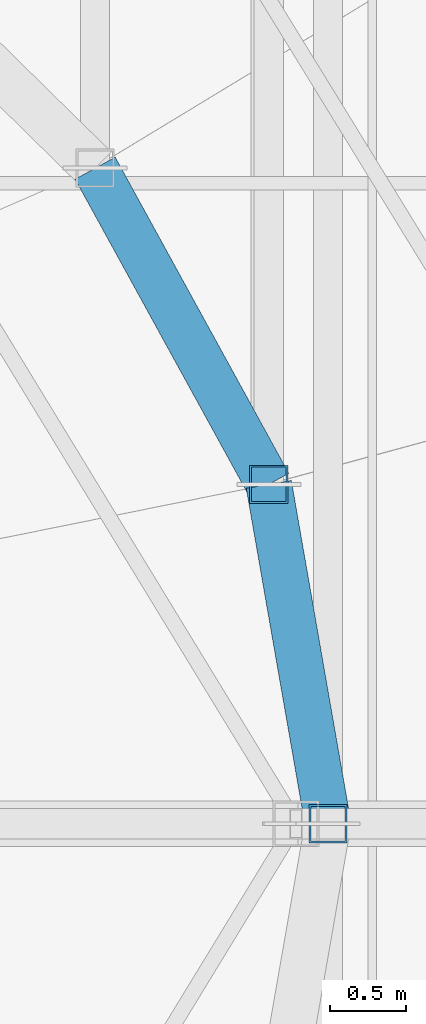
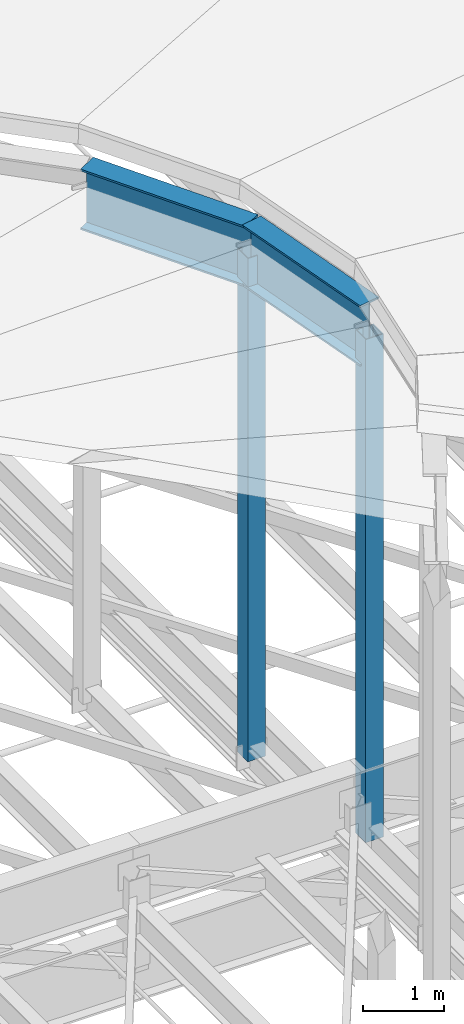
# One storey, part 83 of 184: 2 beams, 2 members.
"""IFC4 building model written with IfcOpenShell, lengths in metres."""

import ifcopenshell
import ifcopenshell.guid

model = None  # the IFC model being written
_history = None  # IfcOwnerHistory: only IFC2X3 demands one
_inside = {}  # id of a spatial element -> (the spatial element, [elements in it])
_under = {}  # id of a project, library or spatial element -> (it, [spatial elements below it])
_declared = {}  # id of a project -> (the project, [libraries it declares])
_typed = {}  # id of a type object -> (the type object, [elements of that type])
_made_of = {}  # id of a material, layer set ... -> (it, [elements and type objects made of it])


def new_model(schema):
    """Start an empty IFC model of exactly this schema.

    Asked for "IFC4X3", IfcOpenShell would pick the latest addendum, in which some entities
    have other attributes; the version numbers below select the first issue.
    IFC2X3 requires an IfcOwnerHistory on every rooted entity: one is made here for all.
    """
    global model, _history
    if schema == "IFC4X3":
        model = ifcopenshell.file(schema_version=(4, 3, 0, 0))
    else:
        model = ifcopenshell.file(schema=schema)
    _inside.clear()
    _under.clear()
    _declared.clear()
    _typed.clear()
    _made_of.clear()
    _history = None
    if model.schema == "IFC2X3":
        org = make("IfcOrganization", Name="unknown")
        user = make(
            "IfcPersonAndOrganization",
            ThePerson=make("IfcPerson", FamilyName="unknown"),
            TheOrganization=org,
        )
        app = make(
            "IfcApplication",
            ApplicationDeveloper=org,
            Version="unknown",
            ApplicationFullName="unknown",
            ApplicationIdentifier="unknown",
        )
        _history = make(
            "IfcOwnerHistory",
            OwningUser=user,
            OwningApplication=app,
            ChangeAction="ADDED",
            CreationDate=0,
        )
    return model


def make(cls, **values):
    """One entity of the class cls with the attributes given. An attribute that is None is left unset."""
    return model.create_entity(
        cls, **{name: value for name, value in values.items() if value is not None}
    )


def rooted(cls, **values):
    """An entity with a GlobalId (a new one), such as an element, a storey or a relation."""
    return make(cls, GlobalId=ifcopenshell.guid.new(), OwnerHistory=_history, **values)


def si_unit(unit_type, name, prefix=None):
    """IfcSIUnit, for example si_unit("LENGTHUNIT", "METRE", prefix="MILLI")."""
    return make("IfcSIUnit", UnitType=unit_type, Prefix=prefix, Name=name)


def assignment(units):
    """IfcUnitAssignment: the units of a project."""
    return None if units is None else make("IfcUnitAssignment", Units=units)


def point(xyz):
    """IfcCartesianPoint."""
    return None if xyz is None else make("IfcCartesianPoint", Coordinates=xyz)


def direction(xyz):
    """IfcDirection."""
    return None if xyz is None else make("IfcDirection", DirectionRatios=xyz)


def frame(location, z_axis=None, x_axis=None):
    """IfcAxis2Placement3D, a coordinate frame: its origin and axes. An axis left out is left unset."""
    return make(
        "IfcAxis2Placement3D",
        Location=point(location),
        Axis=direction(z_axis),
        RefDirection=direction(x_axis),
    )


def frame_2d(location, x_axis=None):
    """IfcAxis2Placement2D, a coordinate frame in the plane: its origin and x axis."""
    return make(
        "IfcAxis2Placement2D", Location=point(location), RefDirection=direction(x_axis)
    )


def origin():
    """The frame at (0, 0, 0) with its axes left unset."""
    return frame((0.0, 0.0, 0.0))


def origin_2d():
    """The frame at (0, 0) in the plane with its x axis left unset."""
    return frame_2d((0.0, 0.0))


def place(relative_to, where):
    """IfcLocalPlacement: puts the frame where relative to a parent placement (None: the world)."""
    return make(
        "IfcLocalPlacement", PlacementRelTo=relative_to, RelativePlacement=where
    )


def context(
    kind, dimensions, precision=None, world=None, true_north=None, identifier=None
):
    """IfcGeometricRepresentationContext, for example the 3D "Model" context."""
    return make(
        "IfcGeometricRepresentationContext",
        ContextIdentifier=identifier,
        ContextType=kind,
        CoordinateSpaceDimension=dimensions,
        Precision=precision,
        WorldCoordinateSystem=world,
        TrueNorth=true_north,
    )


def subcontext(parent, identifier, kind, view, scale=None):
    """IfcGeometricRepresentationSubContext, for example "Body" below "Model"."""
    return make(
        "IfcGeometricRepresentationSubContext",
        ContextIdentifier=identifier,
        ContextType=kind,
        ParentContext=parent,
        TargetScale=scale,
        TargetView=view,
    )


def project(units=None, contexts=None):
    """IfcProject with its units and contexts."""
    return rooted(
        "IfcProject",
        Name="project",
        RepresentationContexts=contexts,
        UnitsInContext=assignment(units),
    )


def spatial(cls, under=None, at=None, **own):
    """A site, building, storey or space (cls), placed at a placement, below another one or the project."""
    s = rooted(cls, ObjectPlacement=at, **own)
    if under is not None:
        _under.setdefault(under.id(), (under, []))[1].append(s)
    return s


def profile(cls, at=None, kind="AREA", **sizes):
    """A parametric profile (cls). Its sizes go by their IFC names, for example OverallWidth=200.0."""
    return make(cls, ProfileType=kind, Position=at, **sizes)


def hollow_rectangle(**sizes):
    """IfcRectangleHollowProfileDef."""
    return profile("IfcRectangleHollowProfileDef", **sizes)


def i_section(**sizes):
    """IfcIShapeProfileDef."""
    return profile("IfcIShapeProfileDef", **sizes)


def extrude(swept, where, along, depth):
    """IfcExtrudedAreaSolid: the profile swept, set in the frame where, extruded along a direction by depth."""
    return make(
        "IfcExtrudedAreaSolid",
        SweptArea=swept,
        Position=where,
        ExtrudedDirection=direction(along),
        Depth=depth,
    )


def shape(context_of_items, identifier, shape_type, items):
    """IfcShapeRepresentation: the items that make up one representation, for example the "Body"."""
    return make(
        "IfcShapeRepresentation",
        ContextOfItems=context_of_items,
        RepresentationIdentifier=identifier,
        RepresentationType=shape_type,
        Items=items,
    )


def material(Name=None, Category=None):
    """IfcMaterial."""
    return make("IfcMaterial", Name=Name, Category=Category)


def material_profile(
    of_material, cross_section, Name=None, Category=None, Priority=None
):
    """IfcMaterialProfile: a cross section and its material."""
    return make(
        "IfcMaterialProfile",
        Name=Name,
        Material=of_material,
        Profile=cross_section,
        Priority=Priority,
        Category=Category,
    )


def profile_set(profiles, Name=None, composite=None):
    """IfcMaterialProfileSet."""
    return make(
        "IfcMaterialProfileSet",
        Name=Name,
        MaterialProfiles=profiles,
        CompositeProfile=composite,
    )


def made_of(thing, what):
    """Note that an element or type object is made of a material, layer set ...; save() writes the relation."""
    if what is not None:
        _made_of.setdefault(what.id(), (what, []))[1].append(thing)
    return thing


def type_object(cls, material=None, **own):
    """A type object (cls), such as IfcWallType, which elements share."""
    return made_of(rooted(cls, **own), material)


def element(
    cls,
    number,
    at=None,
    inside=None,
    cuts=None,
    type_object=None,
    material=None,
    context=None,
    identifier="Body",
    shape_type=None,
    held_by="IfcProductDefinitionShape",
    body=None,
    shapes=None,
    **own,
):
    """One element of the class cls, such as IfcWall. Its Tag is "e" and its number.

    at: its placement. inside: the storey or other place that contains it. cuts: it is an
    opening in that element (IfcRelVoidsElement). A single representation is given by context,
    identifier, shape_type and body (its items); several are given by shapes. held_by: the class
    of the entity that holds the representations. save() writes the other relations.
    """
    e = rooted(cls, Tag="e%d" % number, ObjectPlacement=at, **own)
    if body is not None:
        shapes = [shape(context, identifier, shape_type, body)]
    if shapes is not None:
        e.Representation = make(held_by, Representations=shapes)
    if inside is not None:
        _inside.setdefault(inside.id(), (inside, []))[1].append(e)
    if cuts is not None:
        rooted(
            "IfcRelVoidsElement", RelatingBuildingElement=cuts, RelatedOpeningElement=e
        )
    if type_object is not None:
        _typed.setdefault(type_object.id(), (type_object, []))[1].append(e)
    return made_of(e, material)


def aggregate(whole, parts):
    """IfcRelAggregates: a whole, such as a stair, and the parts it consists of."""
    return rooted("IfcRelAggregates", RelatingObject=whole, RelatedObjects=parts)


def save(model, path):
    """Write the relations noted so far, then the file.

    IfcRelAggregates (storeys below a building ...), IfcRelContainedInSpatialStructure (elements
    in a storey), IfcRelDefinesByType, IfcRelAssociatesMaterial and IfcRelDeclares: one each for
    every whole, place, type object, material and project.
    """
    for whole, parts in _under.values():
        aggregate(whole, parts)
    for where, things in _inside.values():
        rooted(
            "IfcRelContainedInSpatialStructure",
            RelatedElements=things,
            RelatingStructure=where,
        )
    for kind, things in _typed.values():
        rooted("IfcRelDefinesByType", RelatedObjects=things, RelatingType=kind)
    for what, things in _made_of.values():
        rooted("IfcRelAssociatesMaterial", RelatedObjects=things, RelatingMaterial=what)
    for by, libraries in _declared.values():
        rooted("IfcRelDeclares", RelatingContext=by, RelatedDefinitions=libraries)
    model.write(path)


model = new_model("IFC4")

# Units and contexts
model_context = context("Model", 3, precision=1e-05, world=origin(), true_north=direction((0.0, 1.0)))
body_context = subcontext(model_context, "Body", "Model", "MODEL_VIEW")
ifc_project = project(units=[si_unit("LENGTHUNIT", "METRE"), si_unit("AREAUNIT", "SQUARE_METRE"), si_unit("VOLUMEUNIT", "CUBIC_METRE"), si_unit("PLANEANGLEUNIT", "RADIAN"), si_unit("MASSUNIT", "GRAM", prefix="KILO")], contexts=[model_context])

# Site, building, storey
site_placement = place(None, origin())
site = spatial("IfcSite", under=ifc_project, at=site_placement, CompositionType="ELEMENT")
building_placement = place(site_placement, origin())
building = spatial("IfcBuilding", under=site, at=building_placement, Name="Kalgoora Escarpment Arena", CompositionType="ELEMENT")
storey_placement = place(building_placement, frame((0.0, 0.0, 27.60009765625)))
storey = spatial("IfcBuildingStorey", under=building, at=storey_placement, Name="Roof Level", CompositionType="ELEMENT", Elevation=27.60009765625)

# Beams
ifc_material_1 = material(Name="Structural steel Grade 350 (350 MPa)", Category="steel")
ifc_material_profile_1 = material_profile(ifc_material_1, i_section(OverallWidth=0.300048828125, OverallDepth=0.909912109375, WebThickness=0.011962890625, FlangeThickness=0.028076171875, at=origin_2d()))
ifc_profile_set_1 = profile_set([ifc_material_profile_1], Name="Structural steel Grade 350 (350 MPa)")
beam_type = type_object("IfcBeamType", Name="BM-HUB-RING", PredefinedType="USERDEFINED", material=ifc_profile_set_1)
beam_1_placement = place(storey_placement, frame((121.510009765625, 64.0, 6.64990234375), z_axis=(-0.171911146532, 0.985112459417, 0.0), x_axis=(-0.985112459417, -0.171911146532, 0.0)))
element("IfcBeam", 1, at=beam_1_placement, inside=storey, type_object=beam_type, Name="Crown oculus tension RING BEAM chord 01", ObjectType="GIRDER", PredefinedType="USERDEFINED", context=body_context, shape_type="SweptSolid", body=[
    extrude(i_section(OverallWidth=0.300048828125, OverallDepth=0.909912109375, WebThickness=0.011962890625, FlangeThickness=0.028076171875, at=origin_2d()), origin(), (0.0, 0.0, 1.0), 2.259521484375),
])
beam_2_placement = place(storey_placement, frame((121.12158203125, 66.225830078125, 6.64990234375), z_axis=(-0.481300781759, 0.876555507357, 0.0), x_axis=(-0.876555507357, -0.481300781759, 0.0)))
element("IfcBeam", 2, at=beam_2_placement, inside=storey, type_object=beam_type, Name="Crown oculus tension RING BEAM chord 02", ObjectType="GIRDER", PredefinedType="USERDEFINED", context=body_context, shape_type="SweptSolid", body=[
    extrude(i_section(OverallWidth=0.300048828125, OverallDepth=0.909912109375, WebThickness=0.011962890625, FlangeThickness=0.028076171875, at=origin_2d()), origin(), (0.0, 0.0, 1.0), 2.3662109375),
])

# Members
ifc_material_2 = material(Name="Structural steel C450 (450 MPa)", Category="steel")
ifc_material_profile_2 = material_profile(ifc_material_2, hollow_rectangle(XDim=0.25, YDim=0.25, WallThickness=0.012451171875, at=origin_2d()))
ifc_profile_set_2 = profile_set([ifc_material_profile_2], Name="Structural steel C450 (450 MPa)")
member_type = type_object("IfcMemberType", Name="MEM-PETAL-POST", PredefinedType="POST", material=ifc_profile_set_2)
for number, where, z_axis, x_axis, name in (
    (3, (121.510009765625, 64.0, -0.900146484375), (0.0, 0.0, 1.0), (1.0, 0.0, 0.0), "Crown dome vertical post 01"),
    (4, (121.12158203125, 66.225830078125, -0.900146484375), (0.0, 0.0, 1.0), (1.0, 0.0, 0.0), "Crown dome vertical post 02"),
):
    element("IfcMember", number, at=place(storey_placement, frame(where, z_axis=z_axis, x_axis=x_axis)), inside=storey, type_object=member_type, Name=name, PredefinedType="POST", context=body_context, shape_type="SweptSolid", body=[
        extrude(hollow_rectangle(XDim=0.25, YDim=0.25, WallThickness=0.012451171875, at=origin_2d()), origin(), (0.0, 0.0, 1.0), 7.550048828125),
    ])

save(model, "model.ifc")
